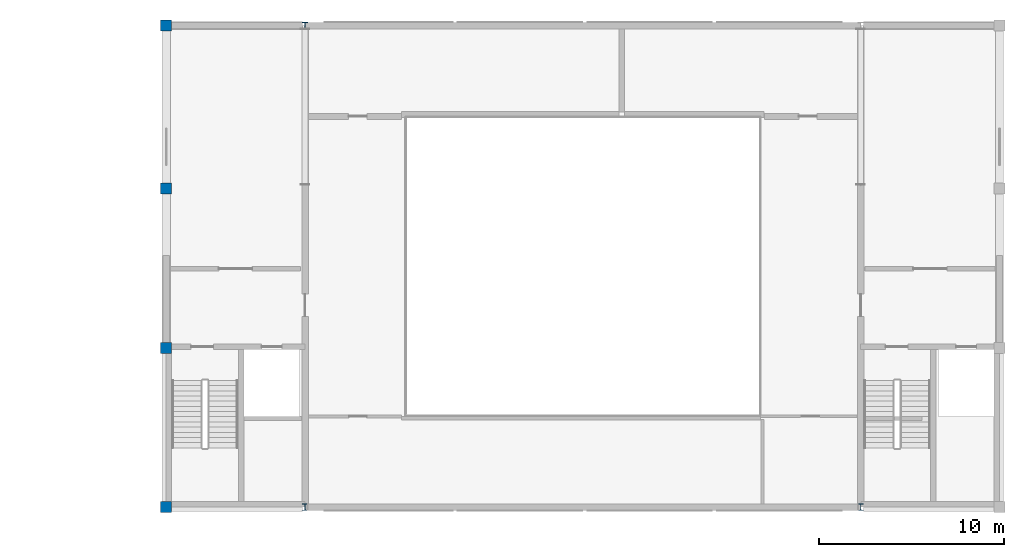
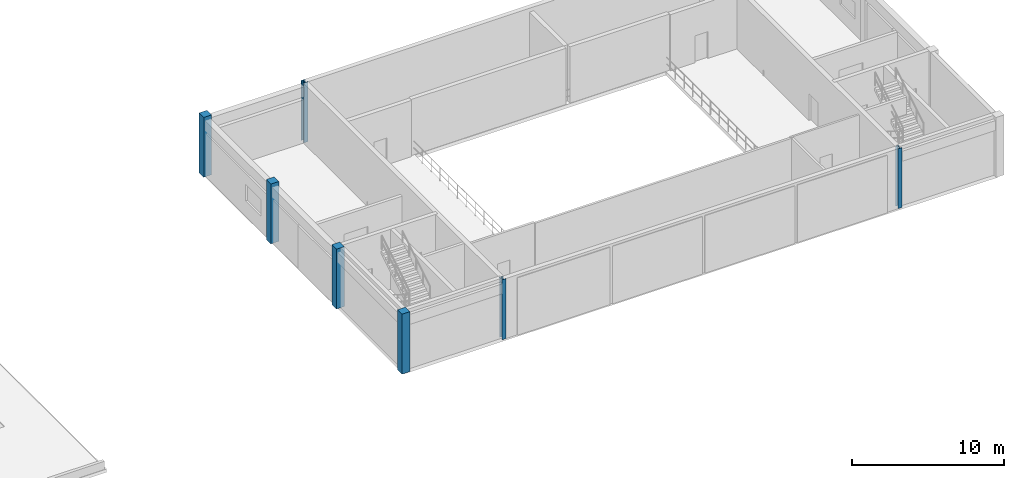
# One storey, part 1 of 9: 7 columns.
"""IFC4 building model written with IfcOpenShell, lengths in metres."""

from ifc_helpers import new_model, si_unit, direction, frame, origin, origin_2d, place, context, subcontext, project, spatial, rectangle, i_section, extrude, material, material_profile, profile_set, type_object, element, save


model = new_model("IFC4")

# Units and contexts
model_context = context("Model", 3, precision=1e-05, world=origin(), true_north=direction((0.0, 1.0)))
body_context = subcontext(model_context, "Body", "Model", "MODEL_VIEW")
ifc_project = project(units=[si_unit("LENGTHUNIT", "METRE"), si_unit("AREAUNIT", "SQUARE_METRE"), si_unit("VOLUMEUNIT", "CUBIC_METRE"), si_unit("PLANEANGLEUNIT", "RADIAN"), si_unit("MASSUNIT", "GRAM", prefix="KILO")], contexts=[model_context])

# Site, building, storey
site_placement = place(None, origin())
site = spatial("IfcSite", under=ifc_project, at=site_placement, CompositionType="ELEMENT")
building_placement = place(site_placement, origin())
building = spatial("IfcBuilding", under=site, at=building_placement, Name="Muzn Square Opera House", CompositionType="ELEMENT")
storey_placement = place(building_placement, frame((0.0, 0.0, 23.39990234375)))
storey = spatial("IfcBuildingStorey", under=building, at=storey_placement, Name="L05", CompositionType="ELEMENT", Elevation=23.39990234375)

# Columns
ifc_material_1 = material(Name="Concrete C45/55", Category="concrete")
ifc_material_profile_1 = material_profile(ifc_material_1, rectangle(XDim=0.60009765625, YDim=0.60009765625, at=origin_2d()), Name="RC 600x600", Category="concrete")
ifc_profile_set_1 = profile_set([ifc_material_profile_1], Name="Concrete C45/55")
column_type_1 = type_object("IfcColumnType", Name="Frame Column 600x600", PredefinedType="COLUMN", material=ifc_profile_set_1)
for number, where, z_axis, x_axis, name in (
    (1, (65.5, 72.60009765625, 0.0), (0.0, 0.0, 1.0), (1.0, 0.0, 0.0), "Column COL-L05-COL-600-655_726"),
    (2, (65.5, 81.199951171875, 0.0), (0.0, 0.0, 1.0), (1.0, 0.0, 0.0), "Column COL-L05-COL-600-655_812"),
    (3, (65.5, 89.800048828125, 0.0), (0.0, 0.0, 1.0), (1.0, 0.0, 0.0), "Column COL-L05-COL-600-655_898"),
    (4, (65.5, 98.60009765625, 0.0), (0.0, 0.0, 1.0), (1.0, 0.0, 0.0), "Column COL-L05-COL-600-655_986"),
):
    element("IfcColumn", number, at=place(storey_placement, frame(where, z_axis=z_axis, x_axis=x_axis)), inside=storey, type_object=column_type_1, Name=name, PredefinedType="COLUMN", context=body_context, shape_type="SweptSolid", body=[
        extrude(rectangle(XDim=0.60009765625, YDim=0.60009765625, at=origin_2d()), origin(), (0.0, 0.0, 1.0), 4.800048828125),
    ])
ifc_material_2 = material(Name="Steel S355", Category="steel")
ifc_material_profile_2 = material_profile(ifc_material_2, i_section(OverallWidth=0.300048828125, OverallDepth=0.360107421875, WebThickness=0.012451171875, FlangeThickness=0.0224609375, FilletRadius=0.027099609375, at=origin_2d()), Name="HEB 360", Category="steel")
ifc_profile_set_2 = profile_set([ifc_material_profile_2], Name="Steel S355")
column_type_2 = type_object("IfcColumnType", Name="Steel Gallery Column HEB360", PredefinedType="COLUMN", material=ifc_profile_set_2)
for number, where, z_axis, x_axis, name in (
    (5, (73.0, 72.60009765625, 0.0), (0.0, 0.0, 1.0), (1.0, 0.0, 0.0), "Column COL-L05-COL-HEB360-730_726"),
    (6, (73.0, 98.60009765625, 0.0), (0.0, 0.0, 1.0), (1.0, 0.0, 0.0), "Column COL-L05-COL-HEB360-730_986"),
    (7, (103.0, 72.60009765625, 0.0), (0.0, 0.0, 1.0), (1.0, 0.0, 0.0), "Column COL-L05-COL-HEB360-1030_726"),
):
    element("IfcColumn", number, at=place(storey_placement, frame(where, z_axis=z_axis, x_axis=x_axis)), inside=storey, type_object=column_type_2, Name=name, PredefinedType="COLUMN", context=body_context, shape_type="SweptSolid", body=[
        extrude(i_section(OverallWidth=0.300048828125, OverallDepth=0.360107421875, WebThickness=0.012451171875, FlangeThickness=0.0224609375, FilletRadius=0.027099609375, at=origin_2d()), origin(), (0.0, 0.0, 1.0), 4.800048828125),
    ])

save(model, "model.ifc")
